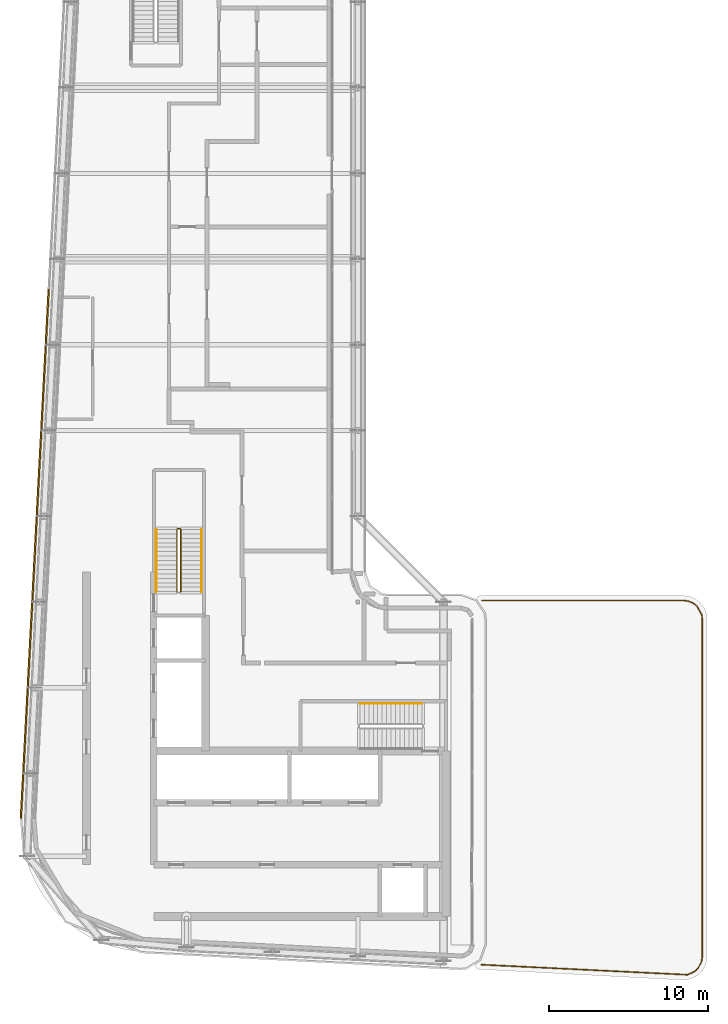
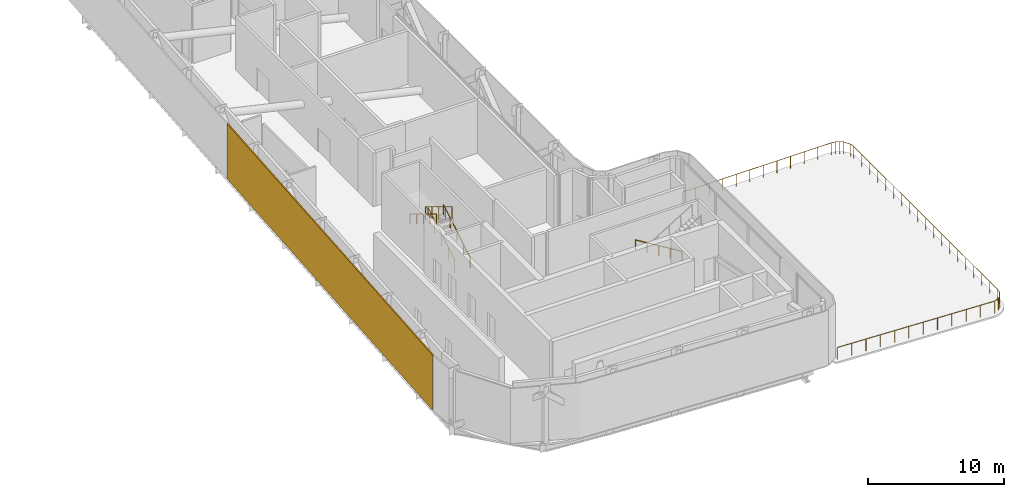
# One storey, part 16 of 18: 5 railings, 1 shading device.
"""IFC4 building model written with IfcOpenShell, lengths in metres."""

from ifc_helpers import new_model, si_unit, direction, frame, origin, origin_2d, place, context, subcontext, project, spatial, rectangle, circle, extrude, material, layer, layer_set, type_object, element, save


model = new_model("IFC4")

# Units and contexts
model_context = context("Model", 3, precision=1e-05, world=origin(), true_north=direction((0.0, 1.0)))
body_context = subcontext(model_context, "Body", "Model", "MODEL_VIEW")
ifc_project = project(units=[si_unit("LENGTHUNIT", "METRE"), si_unit("AREAUNIT", "SQUARE_METRE"), si_unit("VOLUMEUNIT", "CUBIC_METRE"), si_unit("PLANEANGLEUNIT", "RADIAN"), si_unit("MASSUNIT", "GRAM", prefix="KILO")], contexts=[model_context])

# Site, building, storey
site_placement = place(None, origin())
site = spatial("IfcSite", under=ifc_project, at=site_placement, CompositionType="ELEMENT")
building_placement = place(site_placement, origin())
building = spatial("IfcBuilding", under=site, at=building_placement, Name="Kheshtan School and Residences Tower", CompositionType="ELEMENT")
storey_placement = place(building_placement, frame((0.0, 0.0, 333.199951171875)))
storey = spatial("IfcBuildingStorey", under=building, at=storey_placement, Name="L78", CompositionType="ELEMENT", Elevation=333.199951171875)

# Railing
ifc_material_1 = material(Name="Stainless steel balustrade", Category="steel")
railing_type_1 = type_object("IfcRailingType", Name="Loggia guard 1100", PredefinedType="GUARDRAIL", material=ifc_material_1)
railing_1_placement = place(storey_placement, frame((55.43701171875, 45.699951171875, 0.0)))
element("IfcRailing", 1, at=railing_1_placement, inside=storey, type_object=railing_type_1, Name="Terrace guard L78 1", PredefinedType="GUARDRAIL", context=body_context, shape_type="SweptSolid", body=[
    extrude(circle(Radius=0.02392578125, at=origin_2d()), frame((0.0, 0.0, 1.076171875), z_axis=(1.0, 0.0, 0.0), x_axis=(0.0, 1.0, 0.0)), (0.0, 0.0, 1.0), 12.652099609375),
    extrude(circle(Radius=0.02392578125, at=origin_2d()), frame((12.652099609375, 0.0, 1.076171875), z_axis=(0.991189298695, -0.132452912966, 0.0), x_axis=(0.132452912966, 0.991189298695, 0.0)), (0.0, 0.0, 1.0), 0.331787109375),
    extrude(circle(Radius=0.02392578125, at=origin_2d()), frame((12.98095703125, -0.0439453125, 1.076171875), z_axis=(0.92187049869, -0.387498107924, 0.0), x_axis=(0.387498107924, 0.92187049869, 0.0)), (0.0, 0.0, 1.0), 0.3125),
    extrude(circle(Radius=0.02392578125, at=origin_2d()), frame((13.26904296875, -0.1650390625, 1.076171875), z_axis=(0.789478344253, -0.613778416007, 0.0), x_axis=(0.613778416007, 0.789478344253, 0.0)), (0.0, 0.0, 1.0), 0.312744140625),
    extrude(circle(Radius=0.02392578125, at=origin_2d()), frame((13.515869140625, -0.35693359375, 1.076171875), z_axis=(0.500210496895, -0.865903839231, 0.0), x_axis=(0.865903839231, 0.500210496895, 0.0)), (0.0, 0.0, 1.0), 0.606201171875),
    extrude(circle(Radius=0.02392578125, at=origin_2d()), frame((13.819091796875, -0.8818359375, 1.076171875), z_axis=(0.132356376075, -0.991202194162, 0.0), x_axis=(0.991202194162, 0.132356376075, 0.0)), (0.0, 0.0, 1.0), 0.33203125),
    extrude(circle(Radius=0.02392578125, at=origin_2d()), frame((13.863037109375, -1.2109375, 1.076171875), z_axis=(0.0, -1.0, 0.0), x_axis=(1.0, 0.0, 0.0)), (0.0, 0.0, 1.0), 21.19189453125),
    extrude(circle(Radius=0.02392578125, at=origin_2d()), frame((13.863037109375, -22.40283203125, 1.076171875), z_axis=(-0.137626670725, -0.990484174283, 0.0), x_axis=(0.990484174283, -0.137626670725, 0.0)), (0.0, 0.0, 1.0), 0.34228515625),
    extrude(circle(Radius=0.02392578125, at=origin_2d()), frame((13.81591796875, -22.741943359375, 1.076171875), z_axis=(-0.459561058401, -0.888146178059, 0.0), x_axis=(0.888146178059, -0.459561058401, 0.0)), (0.0, 0.0, 1.0), 0.480712890625),
    extrude(circle(Radius=0.02392578125, at=origin_2d()), frame((13.594970703125, -23.1689453125, 1.076171875), z_axis=(-0.726055693233, -0.687635899531, 0.0), x_axis=(0.687635899531, -0.726055693233, 0.0)), (0.0, 0.0, 1.0), 0.311279296875),
    extrude(circle(Radius=0.02392578125, at=origin_2d()), frame((13.368896484375, -23.383056640625, 1.076171875), z_axis=(-0.911144086701, -0.412087919346, 0.0), x_axis=(0.412087919346, -0.911144086701, 0.0)), (0.0, 0.0, 1.0), 0.48291015625),
    extrude(circle(Radius=0.02392578125, at=origin_2d()), frame((12.928955078125, -23.58203125, 1.076171875), z_axis=(-0.99880398219, 0.048893815157, 0.0), x_axis=(-0.048893815157, -0.99880398219, 0.0)), (0.0, 0.0, 1.0), 13.007568359375),
    extrude(circle(Radius=0.02099609375, at=origin_2d()), origin(), (0.0, 0.0, 1.0), 1.052001953125),
    extrude(circle(Radius=0.02099609375, at=origin_2d()), frame((1.150146484375, 0.0, 0.0)), (0.0, 0.0, 1.0), 1.052001953125),
    extrude(circle(Radius=0.02099609375, at=origin_2d()), frame((2.30029296875, 0.0, 0.0)), (0.0, 0.0, 1.0), 1.052001953125),
    extrude(circle(Radius=0.02099609375, at=origin_2d()), frame((3.45068359375, 0.0, 0.0)), (0.0, 0.0, 1.0), 1.052001953125),
    extrude(circle(Radius=0.02099609375, at=origin_2d()), frame((4.600830078125, 0.0, 0.0)), (0.0, 0.0, 1.0), 1.052001953125),
    extrude(circle(Radius=0.02099609375, at=origin_2d()), frame((5.7509765625, 0.0, 0.0)), (0.0, 0.0, 1.0), 1.052001953125),
    extrude(circle(Radius=0.02099609375, at=origin_2d()), frame((6.901123046875, 0.0, 0.0)), (0.0, 0.0, 1.0), 1.052001953125),
    extrude(circle(Radius=0.02099609375, at=origin_2d()), frame((8.05126953125, 0.0, 0.0)), (0.0, 0.0, 1.0), 1.052001953125),
    extrude(circle(Radius=0.02099609375, at=origin_2d()), frame((9.201416015625, 0.0, 0.0)), (0.0, 0.0, 1.0), 1.052001953125),
    extrude(circle(Radius=0.02099609375, at=origin_2d()), frame((10.351806640625, 0.0, 0.0)), (0.0, 0.0, 1.0), 1.052001953125),
    extrude(circle(Radius=0.02099609375, at=origin_2d()), frame((11.501953125, 0.0, 0.0)), (0.0, 0.0, 1.0), 1.052001953125),
    extrude(circle(Radius=0.02099609375, at=origin_2d()), frame((12.652099609375, 0.0, 0.0)), (0.0, 0.0, 1.0), 1.052001953125),
    extrude(circle(Radius=0.02099609375, at=origin_2d()), frame((12.98095703125, -0.0439453125, 0.0)), (0.0, 0.0, 1.0), 1.052001953125),
    extrude(circle(Radius=0.02099609375, at=origin_2d()), frame((13.26904296875, -0.1650390625, 0.0)), (0.0, 0.0, 1.0), 1.052001953125),
    extrude(circle(Radius=0.02099609375, at=origin_2d()), frame((13.515869140625, -0.35693359375, 0.0)), (0.0, 0.0, 1.0), 1.052001953125),
    extrude(circle(Radius=0.02099609375, at=origin_2d()), frame((13.819091796875, -0.8818359375, 0.0)), (0.0, 0.0, 1.0), 1.052001953125),
    extrude(circle(Radius=0.02099609375, at=origin_2d()), frame((13.863037109375, -1.2109375, 0.0)), (0.0, 0.0, 1.0), 1.052001953125),
    extrude(circle(Radius=0.02099609375, at=origin_2d()), frame((13.863037109375, -2.38818359375, 0.0)), (0.0, 0.0, 1.0), 1.052001953125),
    extrude(circle(Radius=0.02099609375, at=origin_2d()), frame((13.863037109375, -3.565673828125, 0.0)), (0.0, 0.0, 1.0), 1.052001953125),
    extrude(circle(Radius=0.02099609375, at=origin_2d()), frame((13.863037109375, -4.742919921875, 0.0)), (0.0, 0.0, 1.0), 1.052001953125),
    extrude(circle(Radius=0.02099609375, at=origin_2d()), frame((13.863037109375, -5.920166015625, 0.0)), (0.0, 0.0, 1.0), 1.052001953125),
    extrude(circle(Radius=0.02099609375, at=origin_2d()), frame((13.863037109375, -7.09765625, 0.0)), (0.0, 0.0, 1.0), 1.052001953125),
    extrude(circle(Radius=0.02099609375, at=origin_2d()), frame((13.863037109375, -8.27490234375, 0.0)), (0.0, 0.0, 1.0), 1.052001953125),
    extrude(circle(Radius=0.02099609375, at=origin_2d()), frame((13.863037109375, -9.4521484375, 0.0)), (0.0, 0.0, 1.0), 1.052001953125),
    extrude(circle(Radius=0.02099609375, at=origin_2d()), frame((13.863037109375, -10.629638671875, 0.0)), (0.0, 0.0, 1.0), 1.052001953125),
    extrude(circle(Radius=0.02099609375, at=origin_2d()), frame((13.863037109375, -11.806884765625, 0.0)), (0.0, 0.0, 1.0), 1.052001953125),
    extrude(circle(Radius=0.02099609375, at=origin_2d()), frame((13.863037109375, -12.984130859375, 0.0)), (0.0, 0.0, 1.0), 1.052001953125),
    extrude(circle(Radius=0.02099609375, at=origin_2d()), frame((13.863037109375, -14.16162109375, 0.0)), (0.0, 0.0, 1.0), 1.052001953125),
    extrude(circle(Radius=0.02099609375, at=origin_2d()), frame((13.863037109375, -15.3388671875, 0.0)), (0.0, 0.0, 1.0), 1.052001953125),
    extrude(circle(Radius=0.02099609375, at=origin_2d()), frame((13.863037109375, -16.51611328125, 0.0)), (0.0, 0.0, 1.0), 1.052001953125),
    extrude(circle(Radius=0.02099609375, at=origin_2d()), frame((13.863037109375, -17.693603515625, 0.0)), (0.0, 0.0, 1.0), 1.052001953125),
    extrude(circle(Radius=0.02099609375, at=origin_2d()), frame((13.863037109375, -18.870849609375, 0.0)), (0.0, 0.0, 1.0), 1.052001953125),
    extrude(circle(Radius=0.02099609375, at=origin_2d()), frame((13.863037109375, -20.048095703125, 0.0)), (0.0, 0.0, 1.0), 1.052001953125),
    extrude(circle(Radius=0.02099609375, at=origin_2d()), frame((13.863037109375, -21.2255859375, 0.0)), (0.0, 0.0, 1.0), 1.052001953125),
    extrude(circle(Radius=0.02099609375, at=origin_2d()), frame((13.863037109375, -22.40283203125, 0.0)), (0.0, 0.0, 1.0), 1.052001953125),
    extrude(circle(Radius=0.02099609375, at=origin_2d()), frame((13.81591796875, -22.741943359375, 0.0)), (0.0, 0.0, 1.0), 1.052001953125),
    extrude(circle(Radius=0.02099609375, at=origin_2d()), frame((13.594970703125, -23.1689453125, 0.0)), (0.0, 0.0, 1.0), 1.052001953125),
    extrude(circle(Radius=0.02099609375, at=origin_2d()), frame((13.368896484375, -23.383056640625, 0.0)), (0.0, 0.0, 1.0), 1.052001953125),
    extrude(circle(Radius=0.02099609375, at=origin_2d()), frame((12.928955078125, -23.58203125, 0.0)), (0.0, 0.0, 1.0), 1.052001953125),
    extrude(circle(Radius=0.02099609375, at=origin_2d()), frame((11.747802734375, -23.524169921875, 0.0)), (0.0, 0.0, 1.0), 1.052001953125),
    extrude(circle(Radius=0.02099609375, at=origin_2d()), frame((10.56689453125, -23.46630859375, 0.0)), (0.0, 0.0, 1.0), 1.052001953125),
    extrude(circle(Radius=0.02099609375, at=origin_2d()), frame((9.3857421875, -23.40869140625, 0.0)), (0.0, 0.0, 1.0), 1.052001953125),
    extrude(circle(Radius=0.02099609375, at=origin_2d()), frame((8.20458984375, -23.350830078125, 0.0)), (0.0, 0.0, 1.0), 1.052001953125),
    extrude(circle(Radius=0.02099609375, at=origin_2d()), frame((7.0234375, -23.29296875, 0.0)), (0.0, 0.0, 1.0), 1.052001953125),
    extrude(circle(Radius=0.02099609375, at=origin_2d()), frame((5.842529296875, -23.235107421875, 0.0)), (0.0, 0.0, 1.0), 1.052001953125),
    extrude(circle(Radius=0.02099609375, at=origin_2d()), frame((4.661376953125, -23.17724609375, 0.0)), (0.0, 0.0, 1.0), 1.052001953125),
    extrude(circle(Radius=0.02099609375, at=origin_2d()), frame((3.480224609375, -23.119384765625, 0.0)), (0.0, 0.0, 1.0), 1.052001953125),
    extrude(circle(Radius=0.02099609375, at=origin_2d()), frame((2.299072265625, -23.061767578125, 0.0)), (0.0, 0.0, 1.0), 1.052001953125),
    extrude(circle(Radius=0.02099609375, at=origin_2d()), frame((1.1181640625, -23.00390625, 0.0)), (0.0, 0.0, 1.0), 1.052001953125),
    extrude(circle(Radius=0.02099609375, at=origin_2d()), frame((-0.06298828125, -22.946044921875, 0.0)), (0.0, 0.0, 1.0), 1.052001953125),
])

# Shading device
ifc_material_2 = material(Name="Terracotta louvre blades", Category="masonry")
ifc_layer = layer(ifc_material_2, 0.10009765625)
ifc_layer_set = layer_set([ifc_layer], Name="Plant louvre screen")
shading_device_type = type_object("IfcShadingDeviceType", Name="Plant louvre screen", PredefinedType="JALOUSIE", material=ifc_layer_set)
shading_device_placement = place(storey_placement, frame((27.24609375, 48.638916015625, 0.0), z_axis=(0.0, 0.0, 1.0), x_axis=(0.052562536748, 0.998617634398, 0.0)))
element("IfcShadingDevice", 2, at=shading_device_placement, inside=storey, type_object=shading_device_type, Name="Screen L78 5", PredefinedType="JALOUSIE", context=body_context, shape_type="SweptSolid", body=[
    extrude(rectangle(XDim=33.341064453125, YDim=0.10009765625, at=origin_2d()), origin(), (0.0, 0.0, 1.0), 4.949951171875),
])

# Railings
railing_type_2 = type_object("IfcRailingType", Name="Stair guard 1100", PredefinedType="GUARDRAIL", material=ifc_material_1)
railing_2_placement = place(storey_placement, frame((36.449951171875, 46.25, 0.170166015625)))
element("IfcRailing", 3, at=railing_2_placement, inside=storey, type_object=railing_type_2, Name="L78 ST2 stair guard 1", PredefinedType="GUARDRAIL", context=body_context, shape_type="SweptSolid", body=[
    extrude(circle(Radius=0.02392578125, at=origin_2d()), frame((0.0, 0.0, 1.076171875), z_axis=(0.0, 0.854794262968, 0.518967020143), x_axis=(-1.0, 0.0, 0.0)), (0.0, 0.0, 1.0), 4.585693359375),
    extrude(circle(Radius=0.02392578125, at=origin_2d()), frame((0.0, 3.919921875, 3.4560546875), z_axis=(-0.707106781187, 0.707106781187, 0.0), x_axis=(-0.707106781187, -0.707106781187, 0.0)), (0.0, 0.0, 1.0), 0.07080078125),
    extrude(circle(Radius=0.02392578125, at=origin_2d()), frame((-0.050048828125, 3.969970703125, 3.4560546875), z_axis=(-1.0, 0.0, 0.0), x_axis=(0.0, -1.0, 0.0)), (0.0, 0.0, 1.0), 0.14990234375),
    extrude(circle(Radius=0.02392578125, at=origin_2d()), frame((-0.199951171875, 3.969970703125, 3.4560546875), z_axis=(-0.271895245746, -0.271895245746, 0.923117517265), x_axis=(0.707106781187, -0.707106781187, 0.0)), (0.0, 0.0, 1.0), 0.18408203125),
    extrude(circle(Radius=0.02392578125, at=origin_2d()), frame((-0.25, 3.919921875, 3.6259765625), z_axis=(0.0, -0.854770645689, 0.519005918337), x_axis=(1.0, 0.0, 0.0)), (0.0, 0.0, 1.0), 4.5859375),
    extrude(circle(Radius=0.02099609375, at=origin_2d()), origin(), (0.0, 0.0, 1.0), 1.052001953125),
    extrude(circle(Radius=0.02099609375, at=origin_2d()), frame((0.0, 0.97998046875, 0.594970703125)), (0.0, 0.0, 1.0), 1.052001953125),
    extrude(circle(Radius=0.02099609375, at=origin_2d()), frame((0.0, 1.9599609375, 1.18994140625)), (0.0, 0.0, 1.0), 1.052001953125),
    extrude(circle(Radius=0.02099609375, at=origin_2d()), frame((0.0, 2.93994140625, 1.784912109375)), (0.0, 0.0, 1.0), 1.052001953125),
    extrude(circle(Radius=0.02099609375, at=origin_2d()), frame((0.0, 3.919921875, 2.3798828125)), (0.0, 0.0, 1.0), 1.052001953125),
    extrude(circle(Radius=0.02099609375, at=origin_2d()), frame((-0.050048828125, 3.969970703125, 2.3798828125)), (0.0, 0.0, 1.0), 1.052001953125),
    extrude(circle(Radius=0.02099609375, at=origin_2d()), frame((-0.199951171875, 3.969970703125, 2.3798828125)), (0.0, 0.0, 1.0), 1.052001953125),
    extrude(circle(Radius=0.02099609375, at=origin_2d()), frame((-0.25, 3.919921875, 2.5498046875)), (0.0, 0.0, 1.0), 1.052001953125),
    extrude(circle(Radius=0.02099609375, at=origin_2d()), frame((-0.25, 2.93994140625, 3.144775390625)), (0.0, 0.0, 1.0), 1.052001953125),
    extrude(circle(Radius=0.02099609375, at=origin_2d()), frame((-0.25, 1.9599609375, 3.73974609375)), (0.0, 0.0, 1.0), 1.052001953125),
    extrude(circle(Radius=0.02099609375, at=origin_2d()), frame((-0.25, 0.97998046875, 4.3349609375)), (0.0, 0.0, 1.0), 1.052001953125),
    extrude(circle(Radius=0.02099609375, at=origin_2d()), frame((-0.25, 0.0, 4.929931640625)), (0.0, 0.0, 1.0), 1.052001953125),
])
ifc_material_3 = material(Name="Stainless steel handrail", Category="steel")
railing_type_3 = type_object("IfcRailingType", Name="Stair handrail 900", PredefinedType="HANDRAIL", material=ifc_material_3)
railing_3_placement = place(storey_placement, frame((51.64990234375, 39.199951171875, 0.170166015625)))
element("IfcRailing", 4, at=railing_3_placement, inside=storey, type_object=railing_type_3, Name="L78 ST1 stair handrail 1", PredefinedType="HANDRAIL", context=body_context, shape_type="SweptSolid", body=[
    extrude(circle(Radius=0.02392578125, at=origin_2d()), frame((0.0, 0.0, 0.8759765625), z_axis=(-0.854794262968, 0.0, 0.518967020143), x_axis=(0.0, -1.0, 0.0)), (0.0, 0.0, 1.0), 4.585693359375),
    extrude(circle(Radius=0.02099609375, at=origin_2d()), origin(), (0.0, 0.0, 1.0), 0.851806640625),
    extrude(circle(Radius=0.02099609375, at=origin_2d()), frame((-0.97998046875, 0.0, 0.594970703125)), (0.0, 0.0, 1.0), 0.851806640625),
    extrude(circle(Radius=0.02099609375, at=origin_2d()), frame((-1.9599609375, 0.0, 1.18994140625)), (0.0, 0.0, 1.0), 0.851806640625),
    extrude(circle(Radius=0.02099609375, at=origin_2d()), frame((-2.93994140625, 0.0, 1.784912109375)), (0.0, 0.0, 1.0), 0.851806640625),
    extrude(circle(Radius=0.02099609375, at=origin_2d()), frame((-3.919921875, 0.0, 2.3798828125)), (0.0, 0.0, 1.0), 0.851806640625),
])
railing_4_placement = place(storey_placement, frame((37.75, 46.25, 0.170166015625)))
element("IfcRailing", 5, at=railing_4_placement, inside=storey, type_object=railing_type_3, Name="L78 ST2 stair handrail 1", PredefinedType="HANDRAIL", context=body_context, shape_type="SweptSolid", body=[
    extrude(circle(Radius=0.02392578125, at=origin_2d()), frame((0.0, 0.0, 0.8759765625), z_axis=(0.0, 0.854794262968, 0.518967020143), x_axis=(-1.0, 0.0, 0.0)), (0.0, 0.0, 1.0), 4.585693359375),
    extrude(circle(Radius=0.02099609375, at=origin_2d()), origin(), (0.0, 0.0, 1.0), 0.851806640625),
    extrude(circle(Radius=0.02099609375, at=origin_2d()), frame((0.0, 0.97998046875, 0.594970703125)), (0.0, 0.0, 1.0), 0.851806640625),
    extrude(circle(Radius=0.02099609375, at=origin_2d()), frame((0.0, 1.9599609375, 1.18994140625)), (0.0, 0.0, 1.0), 0.851806640625),
    extrude(circle(Radius=0.02099609375, at=origin_2d()), frame((0.0, 2.93994140625, 1.784912109375)), (0.0, 0.0, 1.0), 0.851806640625),
    extrude(circle(Radius=0.02099609375, at=origin_2d()), frame((0.0, 3.919921875, 2.3798828125)), (0.0, 0.0, 1.0), 0.851806640625),
])
railing_5_placement = place(storey_placement, frame((34.89990234375, 50.169921875, 2.719970703125)))
element("IfcRailing", 6, at=railing_5_placement, inside=storey, type_object=railing_type_3, Name="L78 ST2 stair handrail 2", PredefinedType="HANDRAIL", context=body_context, shape_type="SweptSolid", body=[
    extrude(circle(Radius=0.02392578125, at=origin_2d()), frame((0.0, 0.0, 0.8759765625), z_axis=(0.0, -0.854770645689, 0.519005918337), x_axis=(1.0, 0.0, 0.0)), (0.0, 0.0, 1.0), 4.5859375),
    extrude(circle(Radius=0.02099609375, at=origin_2d()), origin(), (0.0, 0.0, 1.0), 0.851806640625),
    extrude(circle(Radius=0.02099609375, at=origin_2d()), frame((0.0, -0.97998046875, 0.594970703125)), (0.0, 0.0, 1.0), 0.851806640625),
    extrude(circle(Radius=0.02099609375, at=origin_2d()), frame((0.0, -1.9599609375, 1.18994140625)), (0.0, 0.0, 1.0), 0.851806640625),
    extrude(circle(Radius=0.02099609375, at=origin_2d()), frame((0.0, -2.93994140625, 1.78515625)), (0.0, 0.0, 1.0), 0.851806640625),
    extrude(circle(Radius=0.02099609375, at=origin_2d()), frame((0.0, -3.919921875, 2.380126953125)), (0.0, 0.0, 1.0), 0.851806640625),
])

save(model, "model.ifc")
